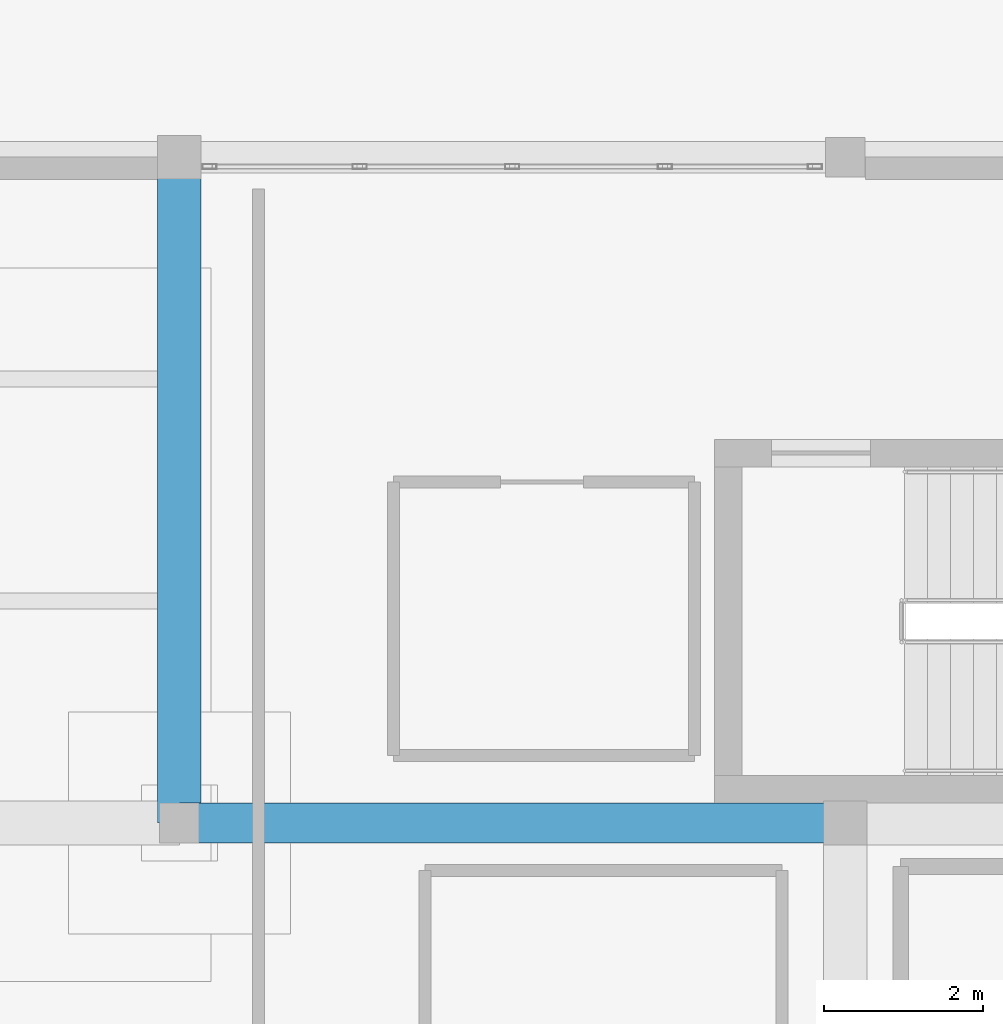
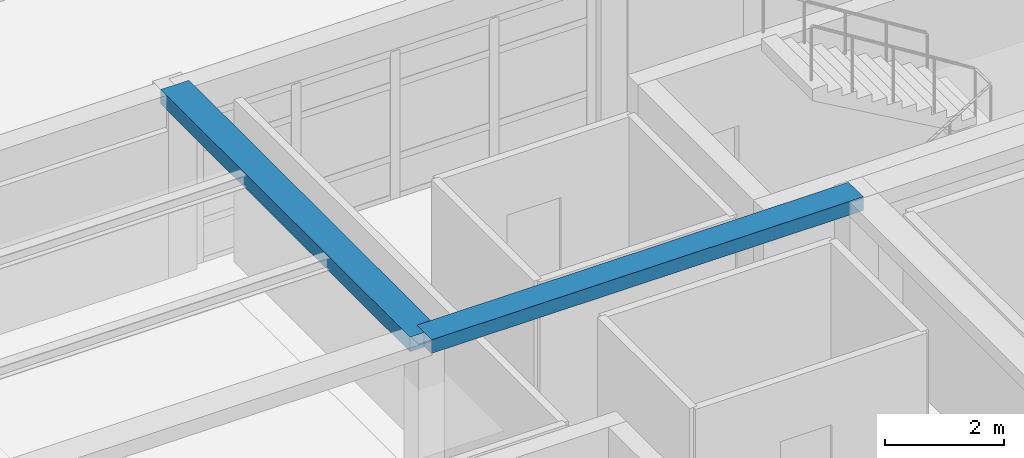
# One storey, part 9 of 22: 2 beams.
"""IFC4 building model written with IfcOpenShell, lengths in metres."""

from ifc_helpers import new_model, si_unit, direction, frame, origin, origin_2d, place, context, subcontext, project, spatial, rectangle, extrude, material, material_profile, profile_set, type_object, element, save


model = new_model("IFC4")

# Units and contexts
model_context = context("Model", 3, precision=1e-05, world=origin(), true_north=direction((0.0, 1.0)))
body_context = subcontext(model_context, "Body", "Model", "MODEL_VIEW")
ifc_project = project(units=[si_unit("LENGTHUNIT", "METRE"), si_unit("AREAUNIT", "SQUARE_METRE"), si_unit("VOLUMEUNIT", "CUBIC_METRE"), si_unit("PLANEANGLEUNIT", "RADIAN"), si_unit("MASSUNIT", "GRAM", prefix="KILO")], contexts=[model_context])

# Site, building, storey
site_placement = place(None, origin())
site = spatial("IfcSite", under=ifc_project, at=site_placement, CompositionType="ELEMENT")
building_placement = place(site_placement, origin())
building = spatial("IfcBuilding", under=site, at=building_placement, Name="Almacenes y Pasaje Nevantli", CompositionType="ELEMENT")
storey_placement = place(building_placement, frame((0.0, 0.0, 58.699951171875)))
storey = spatial("IfcBuildingStorey", under=building, at=storey_placement, Name="L14", CompositionType="ELEMENT", Elevation=58.699951171875)

# Beams
ifc_material_1 = material(Name="Concrete C35/45", Category="concrete")
ifc_material_profile_1 = material_profile(ifc_material_1, rectangle(XDim=0.5, YDim=0.280029296875, at=origin_2d()), Name="RC-BM-500x280")
ifc_profile_set_1 = profile_set([ifc_material_profile_1], Name="Concrete C35/45")
beam_type_1 = type_object("IfcBeamType", Name="BM-RC-500x280", PredefinedType="BEAM", material=ifc_profile_set_1)
beam_1_placement = place(storey_placement, frame((126.0, 84.0, 3.580078125), z_axis=(1.0, 0.0, 0.0), x_axis=(0.0, 1.0, 0.0)))
element("IfcBeam", 1, at=beam_1_placement, inside=storey, type_object=beam_type_1, Name="L14 East-West Reinforced Concrete Beam #3994", PredefinedType="BEAM", context=body_context, shape_type="SweptSolid", body=[
    extrude(rectangle(XDim=0.5, YDim=0.280029296875, at=origin_2d()), origin(), (0.0, 0.0, 1.0), 8.39990234375),
])
ifc_material_2 = material(Name="Concrete C35/45", Category="concrete")
ifc_material_profile_2 = material_profile(ifc_material_2, rectangle(XDim=0.550048828125, YDim=0.300048828125, at=origin_2d()), Name="RC-BM-550x300")
ifc_profile_set_2 = profile_set([ifc_material_profile_2], Name="Concrete C35/45")
beam_type_2 = type_object("IfcBeamType", Name="BM-RC-550x300", PredefinedType="BEAM", material=ifc_profile_set_2)
beam_2_placement = place(storey_placement, frame((126.0, 84.0, 3.570068359375), z_axis=(0.0, 1.0, 0.0), x_axis=(-1.0, 0.0, 0.0)))
element("IfcBeam", 2, at=beam_2_placement, inside=storey, type_object=beam_type_2, Name="L14 North-South Reinforced Concrete Beam #4005", PredefinedType="BEAM", context=body_context, shape_type="SweptSolid", body=[
    extrude(rectangle(XDim=0.550048828125, YDim=0.300048828125, at=origin_2d()), origin(), (0.0, 0.0, 1.0), 8.39990234375),
])

save(model, "model.ifc")
